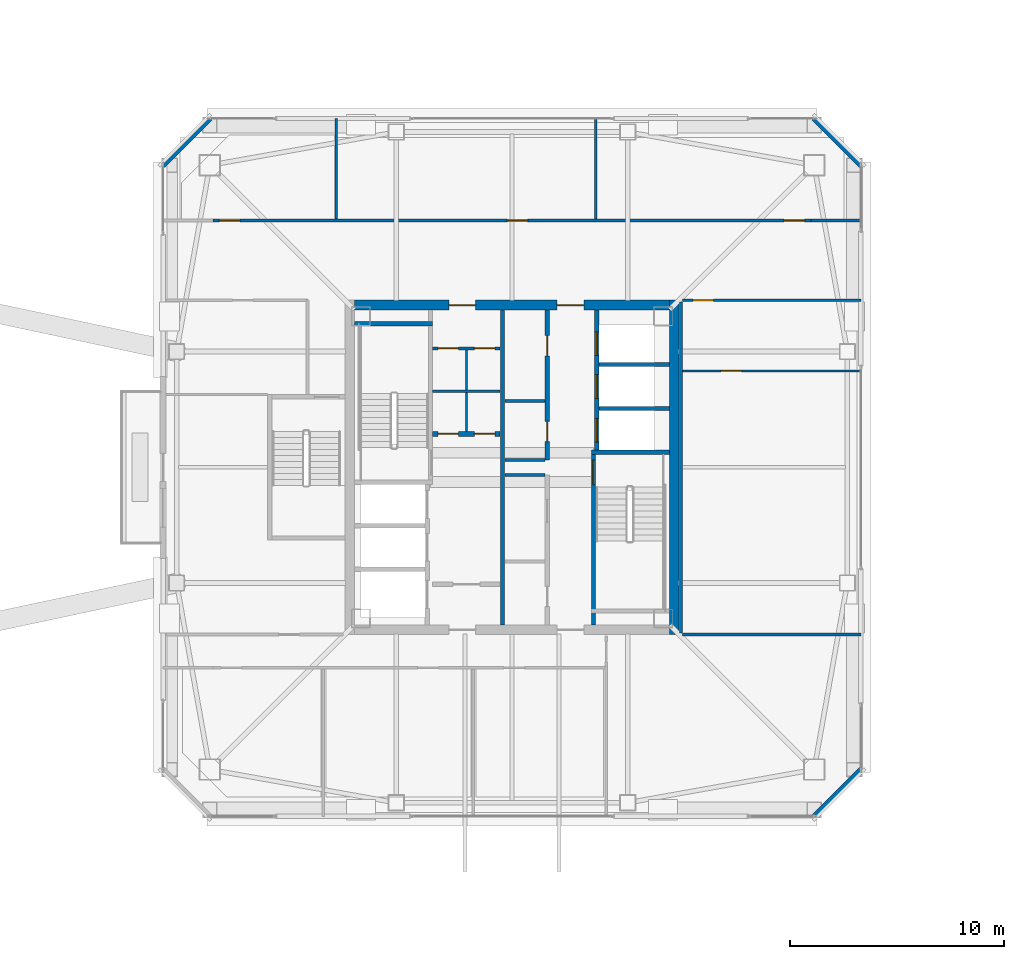
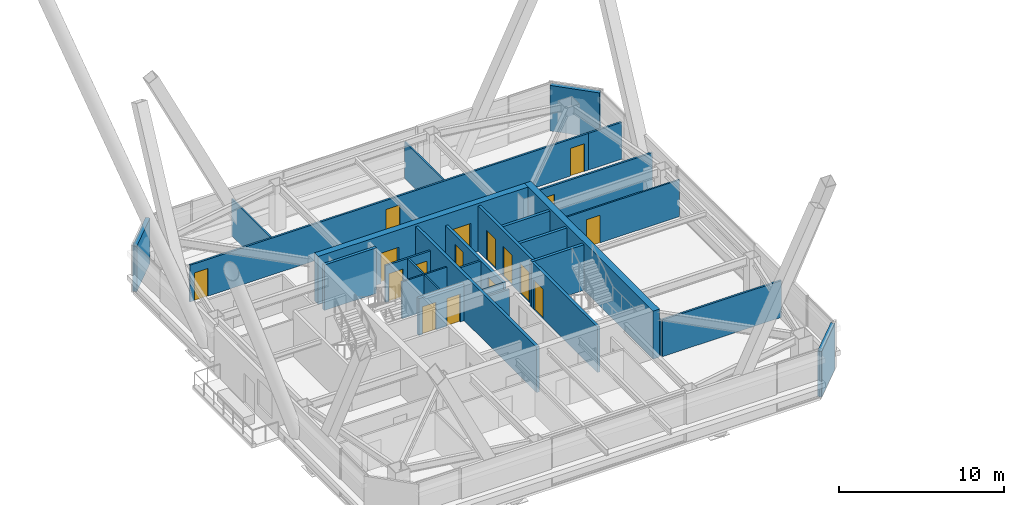
# One storey, part 47 of 56: 28 walls, 17 doors, 17 openings.
"""IFC4 building model written with IfcOpenShell, lengths in metres."""

from ifc_helpers import new_model, si_unit, direction, frame, frame_2d, origin, place, context, subcontext, project, spatial, rectangle, extrude, material, layer, layer_set, type_object, element, fill, save


model = new_model("IFC4")

# Units and contexts
model_context = context("Model", 3, precision=1e-05, world=origin(), true_north=direction((0.0, 1.0)))
body_context = subcontext(model_context, "Body", "Model", "MODEL_VIEW")
ifc_project = project(units=[si_unit("LENGTHUNIT", "METRE"), si_unit("AREAUNIT", "SQUARE_METRE"), si_unit("VOLUMEUNIT", "CUBIC_METRE"), si_unit("PLANEANGLEUNIT", "RADIAN"), si_unit("MASSUNIT", "GRAM", prefix="KILO")], contexts=[model_context])

# Site, building, storey
site_placement = place(None, origin())
site = spatial("IfcSite", under=ifc_project, at=site_placement, CompositionType="ELEMENT")
building_placement = place(site_placement, origin())
building = spatial("IfcBuilding", under=site, at=building_placement, Name="Tashvorn Skyway Center", CompositionType="ELEMENT")
storey_placement = place(building_placement, frame((0.0, 0.0, 218.39990234375)))
storey = spatial("IfcBuildingStorey", under=building, at=storey_placement, Name="L59", CompositionType="ELEMENT", Elevation=218.39990234375)

# Wall
ifc_material_1 = material(Name="Concrete C50/60", Category="concrete")
ifc_layer_1 = layer(ifc_material_1, 0.449951171875)
ifc_layer_set_1 = layer_set([ifc_layer_1], Name="Concrete C50/60")
wall_type_1 = type_object("IfcWallType", Name="WALL-CORE-450", PredefinedType="SHEAR", material=ifc_layer_set_1)
wall_1_placement = place(storey_placement, frame((49.574951171875, 39.800048828125, 0.0), z_axis=(0.0, 0.0, 1.0), x_axis=(0.0, -1.0, 0.0)))
element("IfcWall", 1, at=wall_1_placement, inside=storey, type_object=wall_type_1, Name="Tower 1 L59 East Core Shear Wall", PredefinedType="SHEAR", context=body_context, shape_type="SweptSolid", body=[
    extrude(rectangle(XDim=15.60009765625, YDim=0.449951171875, at=frame_2d((7.800048828125, 0.0))), origin(), (0.0, 0.0, 1.0), 3.550048828125),
])

# Wall, openings, doors
wall_2_placement = place(storey_placement, frame((34.64990234375, 39.574951171875, 0.0), z_axis=(0.0, 0.0, 1.0), x_axis=(1.0, 0.0, 0.0)))
wall_2 = element("IfcWall", 2, at=wall_2_placement, inside=storey, type_object=wall_type_1, Name="Tower 1 L59 North Core Shear Wall", PredefinedType="SHEAR", context=body_context, shape_type="SweptSolid", body=[
    extrude(rectangle(XDim=14.7001953125, YDim=0.449951171875, at=frame_2d((7.35009765625, 0.0))), origin(), (0.0, 0.0, 1.0), 3.550048828125),
])
opening_1_placement = place(wall_2_placement, frame((4.39990234375, 0.0, 0.0)))
opening_1 = element("IfcOpeningElement", 3, at=opening_1_placement, cuts=wall_2, Name="Opening D-FFL-1250", PredefinedType="OPENING", context=body_context, shape_type="SweptSolid", body=[
    extrude(rectangle(XDim=1.25, YDim=2.25, at=frame_2d((0.625, 1.125))), frame((0.0, 0.23486328125, 0.0), z_axis=(0.0, -1.0, 0.0), x_axis=(1.0, 0.0, 0.0)), (0.0, 0.0, 1.0), 0.469970703125),
])
opening_2_placement = place(wall_2_placement, frame((9.449951171875, 0.0, 0.0)))
opening_2 = element("IfcOpeningElement", 4, at=opening_2_placement, cuts=wall_2, Name="Opening D-FFL-1250", PredefinedType="OPENING", context=body_context, shape_type="SweptSolid", body=[
    extrude(rectangle(XDim=1.25, YDim=2.25, at=frame_2d((0.625, 1.125))), frame((0.0, 0.23486328125, 0.0), z_axis=(0.0, -1.0, 0.0), x_axis=(1.0, 0.0, 0.0)), (0.0, 0.0, 1.0), 0.469970703125),
])
ifc_material_2 = material(Name="Hollow galvanized steel fire door assembly", Category="steel")
door_type_1 = type_object("IfcDoorType", Name="DOOR-FFL-1250", OperationType="NOTDEFINED", PredefinedType="DOOR", material=ifc_material_2)
door_1_placement = place(opening_1_placement, origin())
door_1 = element("IfcDoor", 5, at=door_1_placement, inside=storey, type_object=door_type_1, Name="Tower 1 L59 Core North Service Lobby Door", OperationType="SINGLE_SWING_LEFT", OverallHeight=2.25, OverallWidth=1.25, PredefinedType="DOOR", context=body_context, shape_type="SweptSolid", body=[
    extrude(rectangle(XDim=1.25, YDim=2.25, at=frame_2d((0.625, 1.125))), frame((0.0, 0.02490234375, 0.0), z_axis=(0.0, -1.0, 0.0), x_axis=(1.0, 0.0, 0.0)), (0.0, 0.0, 1.0), 0.050048828125),
])
fill(opening_1, door_1)
door_2_placement = place(opening_2_placement, origin())
door_2 = element("IfcDoor", 6, at=door_2_placement, inside=storey, type_object=door_type_1, Name="Tower 1 L59 Core North Lift Lobby Door", OperationType="SINGLE_SWING_RIGHT", OverallHeight=2.25, OverallWidth=1.25, PredefinedType="DOOR", context=body_context, shape_type="SweptSolid", body=[
    extrude(rectangle(XDim=1.25, YDim=2.25, at=frame_2d((0.625, 1.125))), frame((0.0, 0.02490234375, 0.0), z_axis=(0.0, -1.0, 0.0), x_axis=(1.0, 0.0, 0.0)), (0.0, 0.0, 1.0), 0.050048828125),
])
fill(opening_2, door_2)

# Walls
ifc_material_3 = material(Name="Precast concrete C40/50", Category="concrete")
ifc_layer_2 = layer(ifc_material_3, 0.280029296875)
ifc_layer_set_2 = layer_set([ifc_layer_2], Name="Precast concrete C40/50")
wall_type_2 = type_object("IfcWallType", Name="WALL-EXT-280", PredefinedType="SOLIDWALL", material=ifc_layer_set_2)
for number, where, z_axis, x_axis, name in (
    (7, (25.699951171875, 46.10009765625, 0.0), (0.0, 0.0, 1.0), (0.707106781187, 0.707106781187, 0.0), "Tower 1 L59 NW Precast Chamfer Wall"),
    (8, (56.10009765625, 48.300048828125, 0.0), (0.0, 0.0, 1.0), (0.707106781187, -0.707106781187, 0.0), "Tower 1 L59 NE Precast Chamfer Wall"),
    (9, (58.300048828125, 17.89990234375, 0.0), (0.0, 0.0, 1.0), (-0.707106781187, -0.707106781187, 0.0), "Tower 1 L59 SE Precast Chamfer Wall"),
):
    element("IfcWall", number, at=place(storey_placement, frame(where, z_axis=z_axis, x_axis=x_axis)), inside=storey, type_object=wall_type_2, Name=name, PredefinedType="SOLIDWALL", context=body_context, shape_type="SweptSolid", body=[
        extrude(rectangle(XDim=3.111083984375, YDim=0.280029296875, at=frame_2d((1.5556640625, 0.0))), origin(), (0.0, 0.0, 1.0), 3.3701171875),
    ])

# Wall, openings, doors
ifc_material_4 = material(Name="Concrete C40/50", Category="concrete")
ifc_layer_3 = layer(ifc_material_4, 0.219970703125)
ifc_layer_set_3 = layer_set([ifc_layer_3], Name="Concrete C40/50")
wall_type_3 = type_object("IfcWallType", Name="WALL-FFL-220", PredefinedType="SOLIDWALL", material=ifc_layer_set_3)
wall_3_placement = place(storey_placement, frame((38.300048828125, 33.56005859375, 0.0), z_axis=(0.0, 0.0, 1.0), x_axis=(1.0, 0.0, 0.0)))
wall_3 = element("IfcWall", 10, at=wall_3_placement, inside=storey, type_object=wall_type_3, Name="Tower 1 L59 Firefighting Lobby North Wall", PredefinedType="SOLIDWALL", context=body_context, shape_type="SweptSolid", body=[
    extrude(rectangle(XDim=3.14990234375, YDim=0.219970703125, at=frame_2d((1.574951171875, 0.0))), origin(), (0.0, 0.0, 1.0), 2.72314453125),
])
opening_3_placement = place(wall_3_placement, frame((0.25, 0.0, 0.0)))
opening_3 = element("IfcOpeningElement", 11, at=opening_3_placement, cuts=wall_3, Name="Opening D-RT-950", PredefinedType="OPENING", context=body_context, shape_type="SweptSolid", body=[
    extrude(rectangle(XDim=0.949951171875, YDim=2.050048828125, at=frame_2d((0.47509765625, 1.02490234375))), frame((0.0, 0.119873046875, 0.0), z_axis=(0.0, -1.0, 0.0), x_axis=(1.0, 0.0, 0.0)), (0.0, 0.0, 1.0), 0.239990234375),
])
opening_4_placement = place(wall_3_placement, frame((1.949951171875, 0.0, 0.0)))
opening_4 = element("IfcOpeningElement", 12, at=opening_4_placement, cuts=wall_3, Name="Opening D-RT-950", PredefinedType="OPENING", context=body_context, shape_type="SweptSolid", body=[
    extrude(rectangle(XDim=0.949951171875, YDim=2.050048828125, at=frame_2d((0.47509765625, 1.02490234375))), frame((0.0, 0.119873046875, 0.0), z_axis=(0.0, -1.0, 0.0), x_axis=(1.0, 0.0, 0.0)), (0.0, 0.0, 1.0), 0.239990234375),
])
door_type_2 = type_object("IfcDoorType", Name="DOOR-RATED-950", OperationType="NOTDEFINED", PredefinedType="DOOR", material=ifc_material_2)
door_3_placement = place(opening_3_placement, origin())
door_3 = element("IfcDoor", 13, at=door_3_placement, inside=storey, type_object=door_type_2, Name="Tower 1 L59 Core Mail Room Door", OperationType="SINGLE_SWING_LEFT", OverallHeight=2.050048828125, OverallWidth=0.949951171875, PredefinedType="DOOR", context=body_context, shape_type="SweptSolid", body=[
    extrude(rectangle(XDim=0.949951171875, YDim=2.050048828125, at=frame_2d((0.47509765625, 1.02490234375))), frame((0.0, 0.02490234375, 0.0), z_axis=(0.0, -1.0, 0.0), x_axis=(1.0, 0.0, 0.0)), (0.0, 0.0, 1.0), 0.050048828125),
])
fill(opening_3, door_3)
door_4_placement = place(opening_4_placement, origin())
door_4 = element("IfcDoor", 14, at=door_4_placement, inside=storey, type_object=door_type_2, Name="Tower 1 L59 Core Supply Closet Door", OperationType="SINGLE_SWING_RIGHT", OverallHeight=2.050048828125, OverallWidth=0.949951171875, PredefinedType="DOOR", context=body_context, shape_type="SweptSolid", body=[
    extrude(rectangle(XDim=0.949951171875, YDim=2.050048828125, at=frame_2d((0.47509765625, 1.02490234375))), frame((0.0, 0.02490234375, 0.0), z_axis=(0.0, -1.0, 0.0), x_axis=(1.0, 0.0, 0.0)), (0.0, 0.0, 1.0), 0.050048828125),
])
fill(opening_4, door_4)

# Walls
ifc_material_5 = material(Name="Gypsum board on cold-formed steel stud framing", Category="steel")
ifc_layer_4 = layer(ifc_material_5, 0.110107421875)
ifc_layer_set_4 = layer_set([ifc_layer_4], Name="Gypsum board on cold-formed steel stud framing")
wall_type_4 = type_object("IfcWallType", Name="WALL-PART-110", PredefinedType="PARTITIONING", material=ifc_layer_set_4)
for number, where, z_axis, x_axis, name in (
    (15, (33.800048828125, 43.60009765625, 0.0), (0.0, 0.0, 1.0), (0.0, 1.0, 0.0), "Tower 1 L59 North Suite Partition 1"),
    (16, (45.89990234375, 43.60009765625, 0.0), (0.0, 0.0, 1.0), (0.0, 1.0, 0.0), "Tower 1 L59 North Suite Partition 2"),
):
    element("IfcWall", number, at=place(storey_placement, frame(where, z_axis=z_axis, x_axis=x_axis)), inside=storey, type_object=wall_type_4, Name=name, PredefinedType="PARTITIONING", context=body_context, shape_type="SweptSolid", body=[
        extrude(rectangle(XDim=4.679931640625, YDim=0.110107421875, at=frame_2d((2.33984375, 0.0))), origin(), (0.0, 0.0, 1.0), 2.72314453125),
    ])

# Wall, opening, door
wall_4_placement = place(storey_placement, frame((49.9599609375, 36.5, 0.0), z_axis=(0.0, 0.0, 1.0), x_axis=(1.0, 0.0, 0.0)))
wall_4 = element("IfcWall", 17, at=wall_4_placement, inside=storey, type_object=wall_type_4, Name="Tower 1 L59 East Mid Partition", PredefinedType="PARTITIONING", context=body_context, shape_type="SweptSolid", body=[
    extrude(rectangle(XDim=8.320068359375, YDim=0.110107421875, at=frame_2d((4.16015625, 0.0))), origin(), (0.0, 0.0, 1.0), 2.72314453125),
])
opening_5_placement = place(wall_4_placement, frame((1.800048828125, 0.0, 0.0)))
opening_5 = element("IfcOpeningElement", 18, at=opening_5_placement, cuts=wall_4, Name="Opening D-INT-950", PredefinedType="OPENING", context=body_context, shape_type="SweptSolid", body=[
    extrude(rectangle(XDim=0.949951171875, YDim=2.050048828125, at=frame_2d((0.47509765625, 1.02490234375))), frame((0.0, 0.06494140625, 0.0), z_axis=(0.0, -1.0, 0.0), x_axis=(1.0, 0.0, 0.0)), (0.0, 0.0, 1.0), 0.130126953125),
])
ifc_material_6 = material(Name="Solid-core architectural oak veneer door")
door_type_3 = type_object("IfcDoorType", Name="DOOR-INT-950", OperationType="NOTDEFINED", PredefinedType="DOOR", material=ifc_material_6)
door_5_placement = place(opening_5_placement, origin())
door_5 = element("IfcDoor", 19, at=door_5_placement, inside=storey, type_object=door_type_3, Name="Tower 1 L59 Security Control Room Door", OperationType="SINGLE_SWING_RIGHT", OverallHeight=2.050048828125, OverallWidth=0.949951171875, PredefinedType="DOOR", context=body_context, shape_type="SweptSolid", body=[
    extrude(rectangle(XDim=0.949951171875, YDim=2.050048828125, at=frame_2d((0.47509765625, 1.02490234375))), frame((0.0, 0.02490234375, 0.0), z_axis=(0.0, -1.0, 0.0), x_axis=(1.0, 0.0, 0.0)), (0.0, 0.0, 1.0), 0.050048828125),
])
fill(opening_5, door_5)

# Wall, openings, doors
ifc_layer_5 = layer(ifc_material_5, 0.135009765625)
ifc_layer_set_5 = layer_set([ifc_layer_5], Name="Gypsum board on cold-formed steel stud framing")
wall_type_5 = type_object("IfcWallType", Name="WALL-PART-135", PredefinedType="PARTITIONING", material=ifc_layer_set_5)
wall_5_placement = place(storey_placement, frame((28.050048828125, 43.52001953125, 0.0), z_axis=(0.0, 0.0, 1.0), x_axis=(1.0, 0.0, 0.0)))
wall_5 = element("IfcWall", 20, at=wall_5_placement, inside=storey, type_object=wall_type_5, Name="Tower 1 L59 North Suite Wall", PredefinedType="PARTITIONING", context=body_context, shape_type="SweptSolid", body=[
    extrude(rectangle(XDim=27.89990234375, YDim=0.135009765625, at=frame_2d((13.949951171875, 0.0))), origin(), (0.0, 0.0, 1.0), 2.72314453125),
])
opening_6_placement = place(wall_5_placement, frame((0.300048828125, 0.0, 0.0)))
opening_6 = element("IfcOpeningElement", 21, at=opening_6_placement, cuts=wall_5, Name="Opening D-INT-950", PredefinedType="OPENING", context=body_context, shape_type="SweptSolid", body=[
    extrude(rectangle(XDim=0.949951171875, YDim=2.050048828125, at=frame_2d((0.47509765625, 1.02490234375))), frame((0.0, 0.077392578125, 0.0), z_axis=(0.0, -1.0, 0.0), x_axis=(1.0, 0.0, 0.0)), (0.0, 0.0, 1.0), 0.155029296875),
])
opening_7_placement = place(wall_5_placement, frame((13.732421875, 0.0, 0.0)))
opening_7 = element("IfcOpeningElement", 22, at=opening_7_placement, cuts=wall_5, Name="Opening D-INT-950", PredefinedType="OPENING", context=body_context, shape_type="SweptSolid", body=[
    extrude(rectangle(XDim=0.949951171875, YDim=2.050048828125, at=frame_2d((0.47509765625, 1.02490234375))), frame((0.0, 0.077392578125, 0.0), z_axis=(0.0, -1.0, 0.0), x_axis=(1.0, 0.0, 0.0)), (0.0, 0.0, 1.0), 0.155029296875),
])
opening_8_placement = place(wall_5_placement, frame((26.64990234375, 0.0, 0.0)))
opening_8 = element("IfcOpeningElement", 23, at=opening_8_placement, cuts=wall_5, Name="Opening D-INT-950", PredefinedType="OPENING", context=body_context, shape_type="SweptSolid", body=[
    extrude(rectangle(XDim=0.949951171875, YDim=2.050048828125, at=frame_2d((0.47509765625, 1.02490234375))), frame((0.0, 0.077392578125, 0.0), z_axis=(0.0, -1.0, 0.0), x_axis=(1.0, 0.0, 0.0)), (0.0, 0.0, 1.0), 0.155029296875),
])
door_6_placement = place(opening_6_placement, origin())
door_6 = element("IfcDoor", 24, at=door_6_placement, inside=storey, type_object=door_type_3, Name="Tower 1 L59 Executive Suite Door", OperationType="SINGLE_SWING_RIGHT", OverallHeight=2.050048828125, OverallWidth=0.949951171875, PredefinedType="DOOR", context=body_context, shape_type="SweptSolid", body=[
    extrude(rectangle(XDim=0.949951171875, YDim=2.050048828125, at=frame_2d((0.47509765625, 1.02490234375))), frame((0.0, 0.02490234375, 0.0), z_axis=(0.0, -1.0, 0.0), x_axis=(1.0, 0.0, 0.0)), (0.0, 0.0, 1.0), 0.050048828125),
])
fill(opening_6, door_6)
door_7_placement = place(opening_7_placement, origin())
door_7 = element("IfcDoor", 25, at=door_7_placement, inside=storey, type_object=door_type_3, Name="Tower 1 L59 Executive Suite Door", OperationType="SINGLE_SWING_LEFT", OverallHeight=2.050048828125, OverallWidth=0.949951171875, PredefinedType="DOOR", context=body_context, shape_type="SweptSolid", body=[
    extrude(rectangle(XDim=0.949951171875, YDim=2.050048828125, at=frame_2d((0.47509765625, 1.02490234375))), frame((0.0, 0.02490234375, 0.0), z_axis=(0.0, -1.0, 0.0), x_axis=(1.0, 0.0, 0.0)), (0.0, 0.0, 1.0), 0.050048828125),
])
fill(opening_7, door_7)
door_8_placement = place(opening_8_placement, origin())
door_8 = element("IfcDoor", 26, at=door_8_placement, inside=storey, type_object=door_type_3, Name="Tower 1 L59 Catering Pantry Door", OperationType="SINGLE_SWING_RIGHT", OverallHeight=2.050048828125, OverallWidth=0.949951171875, PredefinedType="DOOR", context=body_context, shape_type="SweptSolid", body=[
    extrude(rectangle(XDim=0.949951171875, YDim=2.050048828125, at=frame_2d((0.47509765625, 1.02490234375))), frame((0.0, 0.02490234375, 0.0), z_axis=(0.0, -1.0, 0.0), x_axis=(1.0, 0.0, 0.0)), (0.0, 0.0, 1.0), 0.050048828125),
])
fill(opening_8, door_8)

# Walls
wall_6_placement = place(storey_placement, frame((55.949951171875, 43.52001953125, 0.0), z_axis=(0.0, 0.0, 1.0), x_axis=(1.0, 0.0, 0.0)))
element("IfcWall", 27, at=wall_6_placement, inside=storey, type_object=wall_type_5, Name="Tower 1 L59 North-East Suite South Wall", PredefinedType="PARTITIONING", context=body_context, shape_type="SweptSolid", body=[
    extrude(rectangle(XDim=2.330078125, YDim=0.135009765625, at=frame_2d((1.1650390625, 0.0))), origin(), (0.0, 0.0, 1.0), 2.72314453125),
])
wall_7_placement = place(storey_placement, frame((49.8798828125, 39.719970703125, 0.0), z_axis=(0.0, 0.0, 1.0), x_axis=(0.0, -1.0, 0.0)))
element("IfcWall", 28, at=wall_7_placement, inside=storey, type_object=wall_type_5, Name="Tower 1 L59 East Inner Suite Wall", PredefinedType="PARTITIONING", context=body_context, shape_type="SweptSolid", body=[
    extrude(rectangle(XDim=15.43994140625, YDim=0.135009765625, at=frame_2d((7.719970703125, 0.0))), origin(), (0.0, 0.0, 1.0), 2.72314453125),
])

# Wall, opening, door
wall_8_placement = place(storey_placement, frame((58.280029296875, 39.800048828125, 0.0), z_axis=(0.0, 0.0, 1.0), x_axis=(-1.0, 0.0, 0.0)))
wall_8 = element("IfcWall", 29, at=wall_8_placement, inside=storey, type_object=wall_type_5, Name="Tower 1 L59 East Suite North Wall", PredefinedType="PARTITIONING", context=body_context, shape_type="SweptSolid", body=[
    extrude(rectangle(XDim=8.320068359375, YDim=0.135009765625, at=frame_2d((4.16015625, 0.0))), origin(), (0.0, 0.0, 1.0), 2.72314453125),
])
opening_9_placement = place(wall_8_placement, frame((6.8798828125, 0.0, 0.0)))
opening_9 = element("IfcOpeningElement", 30, at=opening_9_placement, cuts=wall_8, Name="Opening D-INT-950", PredefinedType="OPENING", context=body_context, shape_type="SweptSolid", body=[
    extrude(rectangle(XDim=0.949951171875, YDim=2.050048828125, at=frame_2d((0.47509765625, 1.02490234375))), frame((0.0, 0.077392578125, 0.0), z_axis=(0.0, -1.0, 0.0), x_axis=(1.0, 0.0, 0.0)), (0.0, 0.0, 1.0), 0.155029296875),
])
door_9_placement = place(opening_9_placement, origin())
door_9 = element("IfcDoor", 31, at=door_9_placement, inside=storey, type_object=door_type_3, Name="Tower 1 L59 Executive Suite Door", OperationType="SINGLE_SWING_LEFT", OverallHeight=2.050048828125, OverallWidth=0.949951171875, PredefinedType="DOOR", context=body_context, shape_type="SweptSolid", body=[
    extrude(rectangle(XDim=0.949951171875, YDim=2.050048828125, at=frame_2d((0.47509765625, 1.02490234375))), frame((0.0, 0.02490234375, 0.0), z_axis=(0.0, -1.0, 0.0), x_axis=(1.0, 0.0, 0.0)), (0.0, 0.0, 1.0), 0.050048828125),
])
fill(opening_9, door_9)

# Walls
wall_9_placement = place(storey_placement, frame((49.9599609375, 24.199951171875, 0.0), z_axis=(0.0, 0.0, 1.0), x_axis=(1.0, 0.0, 0.0)))
element("IfcWall", 32, at=wall_9_placement, inside=storey, type_object=wall_type_5, Name="Tower 1 L59 East Suite South Wall", PredefinedType="PARTITIONING", context=body_context, shape_type="SweptSolid", body=[
    extrude(rectangle(XDim=8.320068359375, YDim=0.135009765625, at=frame_2d((4.16015625, 0.0))), origin(), (0.0, 0.0, 1.0), 2.72314453125),
])
ifc_layer_6 = layer(ifc_material_5, 0.110107421875)
ifc_layer_set_6 = layer_set([ifc_layer_6], Name="Gypsum board on cold-formed steel stud framing")
wall_type_6 = type_object("IfcWallType", Name="WALL-RATED-110", PredefinedType="PARTITIONING", material=ifc_layer_set_6)
wall_10_placement = place(storey_placement, frame((39.8798828125, 33.679931640625, 0.0), z_axis=(0.0, 0.0, 1.0), x_axis=(0.0, 1.0, 0.0)))
element("IfcWall", 33, at=wall_10_placement, inside=storey, type_object=wall_type_6, Name="Tower 1 L59 Core Cross Vertical", PredefinedType="PARTITIONING", context=body_context, shape_type="SweptSolid", body=[
    extrude(rectangle(XDim=3.800048828125, YDim=0.110107421875, at=frame_2d((1.89990234375, 0.0))), origin(), (0.0, 0.0, 1.0), 2.72314453125),
])
wall_11_placement = place(storey_placement, frame((38.300048828125, 35.550048828125, 0.0), z_axis=(0.0, 0.0, 1.0), x_axis=(1.0, 0.0, 0.0)))
element("IfcWall", 34, at=wall_11_placement, inside=storey, type_object=wall_type_6, Name="Tower 1 L59 Core Cross Horizontal", PredefinedType="PARTITIONING", context=body_context, shape_type="SweptSolid", body=[
    extrude(rectangle(XDim=3.14990234375, YDim=0.110107421875, at=frame_2d((1.574951171875, 0.0))), origin(), (0.0, 0.0, 1.0), 2.72314453125),
])

# Wall, openings, doors
ifc_layer_7 = layer(ifc_material_5, 0.135009765625)
ifc_layer_set_7 = layer_set([ifc_layer_7], Name="Gypsum board on cold-formed steel stud framing")
wall_type_7 = type_object("IfcWallType", Name="WALL-RATED-135", PredefinedType="PARTITIONING", material=ifc_layer_set_7)
wall_12_placement = place(storey_placement, frame((38.300048828125, 37.550048828125, 0.0), z_axis=(0.0, 0.0, 1.0), x_axis=(1.0, 0.0, 0.0)))
wall_12 = element("IfcWall", 35, at=wall_12_placement, inside=storey, type_object=wall_type_7, Name="Tower 1 L59 Core Service Lobby Wall", PredefinedType="PARTITIONING", context=body_context, shape_type="SweptSolid", body=[
    extrude(rectangle(XDim=3.14990234375, YDim=0.135009765625, at=frame_2d((1.574951171875, 0.0))), origin(), (0.0, 0.0, 1.0), 2.72314453125),
])
opening_10_placement = place(wall_12_placement, frame((0.25, 0.0, 0.0)))
opening_10 = element("IfcOpeningElement", 36, at=opening_10_placement, cuts=wall_12, Name="Opening D-RT-950", PredefinedType="OPENING", context=body_context, shape_type="SweptSolid", body=[
    extrude(rectangle(XDim=0.949951171875, YDim=2.050048828125, at=frame_2d((0.47509765625, 1.02490234375))), frame((0.0, 0.077392578125, 0.0), z_axis=(0.0, -1.0, 0.0), x_axis=(1.0, 0.0, 0.0)), (0.0, 0.0, 1.0), 0.155029296875),
])
opening_11_placement = place(wall_12_placement, frame((1.949951171875, 0.0, 0.0)))
opening_11 = element("IfcOpeningElement", 37, at=opening_11_placement, cuts=wall_12, Name="Opening D-RT-950", PredefinedType="OPENING", context=body_context, shape_type="SweptSolid", body=[
    extrude(rectangle(XDim=0.949951171875, YDim=2.050048828125, at=frame_2d((0.47509765625, 1.02490234375))), frame((0.0, 0.077392578125, 0.0), z_axis=(0.0, -1.0, 0.0), x_axis=(1.0, 0.0, 0.0)), (0.0, 0.0, 1.0), 0.155029296875),
])
door_10_placement = place(opening_10_placement, origin())
door_10 = element("IfcDoor", 38, at=door_10_placement, inside=storey, type_object=door_type_2, Name="Tower 1 L59 Core Cleaner Store Door", OperationType="SINGLE_SWING_LEFT", OverallHeight=2.050048828125, OverallWidth=0.949951171875, PredefinedType="DOOR", context=body_context, shape_type="SweptSolid", body=[
    extrude(rectangle(XDim=0.949951171875, YDim=2.050048828125, at=frame_2d((0.47509765625, 1.02490234375))), frame((0.0, 0.02490234375, 0.0), z_axis=(0.0, -1.0, 0.0), x_axis=(1.0, 0.0, 0.0)), (0.0, 0.0, 1.0), 0.050048828125),
])
fill(opening_10, door_10)
door_11_placement = place(opening_11_placement, origin())
door_11 = element("IfcDoor", 39, at=door_11_placement, inside=storey, type_object=door_type_2, Name="Tower 1 L59 Core Accessible WC Door", OperationType="SINGLE_SWING_RIGHT", OverallHeight=2.050048828125, OverallWidth=0.949951171875, PredefinedType="DOOR", context=body_context, shape_type="SweptSolid", body=[
    extrude(rectangle(XDim=0.949951171875, YDim=2.050048828125, at=frame_2d((0.47509765625, 1.02490234375))), frame((0.0, 0.02490234375, 0.0), z_axis=(0.0, -1.0, 0.0), x_axis=(1.0, 0.0, 0.0)), (0.0, 0.0, 1.0), 0.050048828125),
])
fill(opening_11, door_11)

# Walls
for number, where, z_axis, x_axis, name in (
    (40, (41.669921875, 31.64990234375, 0.0), (0.0, 0.0, 1.0), (1.0, 0.0, 0.0), "Tower 1 L59 Core Room Partition"),
    (41, (41.669921875, 32.35009765625, 0.0), (0.0, 0.0, 1.0), (1.0, 0.0, 0.0), "Tower 1 L59 Core Room Partition"),
    (42, (41.669921875, 35.10009765625, 0.0), (0.0, 0.0, 1.0), (1.0, 0.0, 0.0), "Tower 1 L59 Freed Mid-Rise Partition"),
):
    element("IfcWall", number, at=place(storey_placement, frame(where, z_axis=z_axis, x_axis=x_axis)), inside=storey, type_object=wall_type_7, Name=name, PredefinedType="PARTITIONING", context=body_context, shape_type="SweptSolid", body=[
        extrude(rectangle(XDim=1.880126953125, YDim=0.135009765625, at=frame_2d((0.93994140625, 0.0))), origin(), (0.0, 0.0, 1.0), 2.72314453125),
    ])
ifc_layer_8 = layer(ifc_material_4, 0.199951171875)
ifc_layer_set_8 = layer_set([ifc_layer_8], Name="Concrete C40/50")
wall_type_8 = type_object("IfcWallType", Name="WALL-SHAFT-200", PredefinedType="SOLIDWALL", material=ifc_layer_set_8)
for number, where, z_axis, x_axis, name in (
    (43, (46.050048828125, 34.75, 0.0), (0.0, 0.0, 1.0), (1.0, 0.0, 0.0), "Tower 1 L59 High-Rise Shaft Divider"),
    (44, (46.050048828125, 36.800048828125, 0.0), (0.0, 0.0, 1.0), (1.0, 0.0, 0.0), "Tower 1 L59 High-Rise Shaft Divider"),
):
    element("IfcWall", number, at=place(storey_placement, frame(where, z_axis=z_axis, x_axis=x_axis)), inside=storey, type_object=wall_type_8, Name=name, PredefinedType="SOLIDWALL", context=body_context, shape_type="SweptSolid", body=[
        extrude(rectangle(XDim=3.300048828125, YDim=0.199951171875, at=frame_2d((1.64990234375, 0.0))), origin(), (0.0, 0.0, 1.0), 3.3701171875),
    ])

# Wall, openings, doors
wall_13_placement = place(storey_placement, frame((43.64990234375, 32.35009765625, 0.0), z_axis=(0.0, 0.0, 1.0), x_axis=(0.0, 1.0, 0.0)))
wall_13 = element("IfcWall", 45, at=wall_13_placement, inside=storey, type_object=wall_type_8, Name="Tower 1 L59 Mid-Rise Core Wall", PredefinedType="SOLIDWALL", context=body_context, shape_type="SweptSolid", body=[
    extrude(rectangle(XDim=7.0, YDim=0.199951171875, at=frame_2d((3.5, 0.0))), origin(), (0.0, 0.0, 1.0), 2.72314453125),
])
opening_12_placement = place(wall_13_placement, frame((0.85009765625, 0.0, 0.0)))
opening_12 = element("IfcOpeningElement", 46, at=opening_12_placement, cuts=wall_13, Name="Opening D-RT-950", PredefinedType="OPENING", context=body_context, shape_type="SweptSolid", body=[
    extrude(rectangle(XDim=0.949951171875, YDim=2.050048828125, at=frame_2d((0.47509765625, 1.02490234375))), frame((0.0, 0.10986328125, 0.0), z_axis=(0.0, -1.0, 0.0), x_axis=(1.0, 0.0, 0.0)), (0.0, 0.0, 1.0), 0.219970703125),
])
opening_13_placement = place(wall_13_placement, frame((4.85009765625, 0.0, 0.0)))
opening_13 = element("IfcOpeningElement", 47, at=opening_13_placement, cuts=wall_13, Name="Opening D-RT-950", PredefinedType="OPENING", context=body_context, shape_type="SweptSolid", body=[
    extrude(rectangle(XDim=0.949951171875, YDim=2.050048828125, at=frame_2d((0.47509765625, 1.02490234375))), frame((0.0, 0.10986328125, 0.0), z_axis=(0.0, -1.0, 0.0), x_axis=(1.0, 0.0, 0.0)), (0.0, 0.0, 1.0), 0.219970703125),
])
door_12_placement = place(opening_12_placement, origin())
door_12 = element("IfcDoor", 48, at=door_12_placement, inside=storey, type_object=door_type_2, Name="Tower 1 L59 Core IT Room Door", OperationType="SINGLE_SWING_RIGHT", OverallHeight=2.050048828125, OverallWidth=0.949951171875, PredefinedType="DOOR", context=body_context, shape_type="SweptSolid", body=[
    extrude(rectangle(XDim=0.949951171875, YDim=2.050048828125, at=frame_2d((0.47509765625, 1.02490234375))), frame((0.0, 0.02490234375, 0.0), z_axis=(0.0, -1.0, 0.0), x_axis=(1.0, 0.0, 0.0)), (0.0, 0.0, 1.0), 0.050048828125),
])
fill(opening_12, door_12)
door_13_placement = place(opening_13_placement, origin())
door_13 = element("IfcDoor", 49, at=door_13_placement, inside=storey, type_object=door_type_2, Name="Tower 1 L59 Core Catering Pantry Door", OperationType="SINGLE_SWING_LEFT", OverallHeight=2.050048828125, OverallWidth=0.949951171875, PredefinedType="DOOR", context=body_context, shape_type="SweptSolid", body=[
    extrude(rectangle(XDim=0.949951171875, YDim=2.050048828125, at=frame_2d((0.47509765625, 1.02490234375))), frame((0.0, 0.02490234375, 0.0), z_axis=(0.0, -1.0, 0.0), x_axis=(1.0, 0.0, 0.0)), (0.0, 0.0, 1.0), 0.050048828125),
])
fill(opening_13, door_13)

# Wall
ifc_layer_9 = layer(ifc_material_4, 0.199951171875)
ifc_layer_set_9 = layer_set([ifc_layer_9], Name="Concrete C40/50")
wall_type_9 = type_object("IfcWallType", Name="WALL-STSHF-200", PredefinedType="SHEAR", material=ifc_layer_set_9)
wall_14_placement = place(storey_placement, frame((34.64990234375, 38.699951171875, 0.0), z_axis=(0.0, 0.0, 1.0), x_axis=(1.0, 0.0, 0.0)))
element("IfcWall", 50, at=wall_14_placement, inside=storey, type_object=wall_type_9, Name="Tower 1 L59 Stair 1 North Wall", PredefinedType="SHEAR", context=body_context, shape_type="SweptSolid", body=[
    extrude(rectangle(XDim=3.650146484375, YDim=0.199951171875, at=frame_2d((1.8251953125, 0.0))), origin(), (0.0, 0.0, 1.0), 3.3701171875),
])

# Wall, opening, door
wall_15_placement = place(storey_placement, frame((45.800048828125, 32.800048828125, 0.0), z_axis=(0.0, 0.0, 1.0), x_axis=(0.0, -1.0, 0.0)))
wall_15 = element("IfcWall", 51, at=wall_15_placement, inside=storey, type_object=wall_type_9, Name="Tower 1 L59 Stair 2 Enclosure Wall", PredefinedType="SHEAR", context=body_context, shape_type="SweptSolid", body=[
    extrude(rectangle(XDim=8.150146484375, YDim=0.199951171875, at=frame_2d((4.0751953125, 0.0))), origin(), (0.0, 0.0, 1.0), 3.3701171875),
])
opening_14_placement = place(wall_15_placement, frame((0.449951171875, 0.0, 0.0)))
opening_14 = element("IfcOpeningElement", 52, at=opening_14_placement, cuts=wall_15, Name="Opening D-ST-1150", PredefinedType="OPENING", context=body_context, shape_type="SweptSolid", body=[
    extrude(rectangle(XDim=1.14990234375, YDim=2.199951171875, at=frame_2d((0.574951171875, 1.10009765625))), frame((0.0, 0.10986328125, 0.0), z_axis=(0.0, -1.0, 0.0), x_axis=(1.0, 0.0, 0.0)), (0.0, 0.0, 1.0), 0.219970703125),
])
door_type_4 = type_object("IfcDoorType", Name="DOOR-STAIR-1150", OperationType="NOTDEFINED", PredefinedType="DOOR", material=ifc_material_2)
door_14_placement = place(opening_14_placement, origin())
door_14 = element("IfcDoor", 53, at=door_14_placement, inside=storey, type_object=door_type_4, Name="Tower 1 L59 Exit Stair 2 Door", OperationType="SINGLE_SWING_RIGHT", OverallHeight=2.199951171875, OverallWidth=1.14990234375, PredefinedType="DOOR", context=body_context, shape_type="SweptSolid", body=[
    extrude(rectangle(XDim=1.14990234375, YDim=2.199951171875, at=frame_2d((0.574951171875, 1.10009765625))), frame((0.0, 0.02490234375, 0.0), z_axis=(0.0, -1.0, 0.0), x_axis=(1.0, 0.0, 0.0)), (0.0, 0.0, 1.0), 0.050048828125),
])
fill(opening_14, door_14)

# Walls
wall_16_placement = place(storey_placement, frame((45.699951171875, 32.699951171875, 0.0), z_axis=(0.0, 0.0, 1.0), x_axis=(1.0, 0.0, 0.0)))
element("IfcWall", 54, at=wall_16_placement, inside=storey, type_object=wall_type_9, Name="Tower 1 L59 Stair 2 North Wall", PredefinedType="SHEAR", context=body_context, shape_type="SweptSolid", body=[
    extrude(rectangle(XDim=3.650146484375, YDim=0.199951171875, at=frame_2d((1.8251953125, 0.0))), origin(), (0.0, 0.0, 1.0), 3.3701171875),
])
wall_17_placement = place(storey_placement, frame((41.56005859375, 24.64990234375, 0.0), z_axis=(0.0, 0.0, 1.0), x_axis=(0.0, 1.0, 0.0)))
element("IfcWall", 55, at=wall_17_placement, inside=storey, type_object=wall_type_9, Name="Tower 1 L59 Firefighting Lobby East Smoke Barrier", PredefinedType="SHEAR", context=body_context, shape_type="SweptSolid", body=[
    extrude(rectangle(XDim=14.7001953125, YDim=0.199951171875, at=frame_2d((7.35009765625, 0.0))), origin(), (0.0, 0.0, 1.0), 3.3701171875),
])

# Wall, openings, doors
wall_18_placement = place(storey_placement, frame((45.949951171875, 39.35009765625, 0.0), z_axis=(0.0, 0.0, 1.0), x_axis=(0.0, -1.0, 0.0)))
wall_18 = element("IfcWall", 56, at=wall_18_placement, inside=storey, type_object=wall_type_9, Name="Tower 1 L59 High-Rise Lift Shaft Front Wall", PredefinedType="SHEAR", context=body_context, shape_type="SweptSolid", body=[
    extrude(rectangle(XDim=6.550048828125, YDim=0.199951171875, at=frame_2d((3.27490234375, 0.0))), origin(), (0.0, 0.0, 1.0), 3.3701171875),
])
opening_15_placement = place(wall_18_placement, frame((5.074951171875, 0.0, 0.0)))
opening_15 = element("IfcOpeningElement", 57, at=opening_15_placement, cuts=wall_18, Name="Opening LD-HR-T1-1-L59", PredefinedType="OPENING", context=body_context, shape_type="SweptSolid", body=[
    extrude(rectangle(XDim=1.10009765625, YDim=2.199951171875, at=frame_2d((0.550048828125, 1.10009765625))), frame((0.0, 0.10986328125, 0.0), z_axis=(0.0, -1.0, 0.0), x_axis=(1.0, 0.0, 0.0)), (0.0, 0.0, 1.0), 0.219970703125),
])
opening_16_placement = place(wall_18_placement, frame((3.02490234375, 0.0, 0.0)))
opening_16 = element("IfcOpeningElement", 58, at=opening_16_placement, cuts=wall_18, Name="Opening LD-HR-T1-2-L59", PredefinedType="OPENING", context=body_context, shape_type="SweptSolid", body=[
    extrude(rectangle(XDim=1.10009765625, YDim=2.199951171875, at=frame_2d((0.550048828125, 1.10009765625))), frame((0.0, 0.10986328125, 0.0), z_axis=(0.0, -1.0, 0.0), x_axis=(1.0, 0.0, 0.0)), (0.0, 0.0, 1.0), 0.219970703125),
])
opening_17_placement = place(wall_18_placement, frame((1.02490234375, 0.0, 0.0)))
opening_17 = element("IfcOpeningElement", 59, at=opening_17_placement, cuts=wall_18, Name="Opening LD-HR-T1-3-L59", PredefinedType="OPENING", context=body_context, shape_type="SweptSolid", body=[
    extrude(rectangle(XDim=1.10009765625, YDim=2.199951171875, at=frame_2d((0.550048828125, 1.10009765625))), frame((0.0, 0.10986328125, 0.0), z_axis=(0.0, -1.0, 0.0), x_axis=(1.0, 0.0, 0.0)), (0.0, 0.0, 1.0), 0.219970703125),
])
ifc_material_7 = material(Name="Stainless steel landing door", Category="steel")
door_type_5 = type_object("IfcDoorType", Name="DOOR-LIFT-1100", OperationType="SLIDING_TO_LEFT", PredefinedType="DOOR", material=ifc_material_7)
door_15_placement = place(opening_15_placement, origin())
door_15 = element("IfcDoor", 60, at=door_15_placement, inside=storey, type_object=door_type_5, Name="Lift HR-T1-1 L59 Landing Door", OperationType="SLIDING_TO_LEFT", OverallHeight=2.199951171875, OverallWidth=1.10009765625, PredefinedType="DOOR", context=body_context, shape_type="SweptSolid", body=[
    extrude(rectangle(XDim=1.10009765625, YDim=2.199951171875, at=frame_2d((0.550048828125, 1.10009765625))), frame((0.0, 0.02490234375, 0.0), z_axis=(0.0, -1.0, 0.0), x_axis=(1.0, 0.0, 0.0)), (0.0, 0.0, 1.0), 0.050048828125),
])
fill(opening_15, door_15)
door_16_placement = place(opening_16_placement, origin())
door_16 = element("IfcDoor", 61, at=door_16_placement, inside=storey, type_object=door_type_5, Name="Lift HR-T1-2 L59 Landing Door", OperationType="SLIDING_TO_LEFT", OverallHeight=2.199951171875, OverallWidth=1.10009765625, PredefinedType="DOOR", context=body_context, shape_type="SweptSolid", body=[
    extrude(rectangle(XDim=1.10009765625, YDim=2.199951171875, at=frame_2d((0.550048828125, 1.10009765625))), frame((0.0, 0.02490234375, 0.0), z_axis=(0.0, -1.0, 0.0), x_axis=(1.0, 0.0, 0.0)), (0.0, 0.0, 1.0), 0.050048828125),
])
fill(opening_16, door_16)
door_17_placement = place(opening_17_placement, origin())
door_17 = element("IfcDoor", 62, at=door_17_placement, inside=storey, type_object=door_type_5, Name="Lift HR-T1-3 L59 Landing Door", OperationType="SLIDING_TO_LEFT", OverallHeight=2.199951171875, OverallWidth=1.10009765625, PredefinedType="DOOR", context=body_context, shape_type="SweptSolid", body=[
    extrude(rectangle(XDim=1.10009765625, YDim=2.199951171875, at=frame_2d((0.550048828125, 1.10009765625))), frame((0.0, 0.02490234375, 0.0), z_axis=(0.0, -1.0, 0.0), x_axis=(1.0, 0.0, 0.0)), (0.0, 0.0, 1.0), 0.050048828125),
])
fill(opening_17, door_17)

save(model, "model.ifc")
